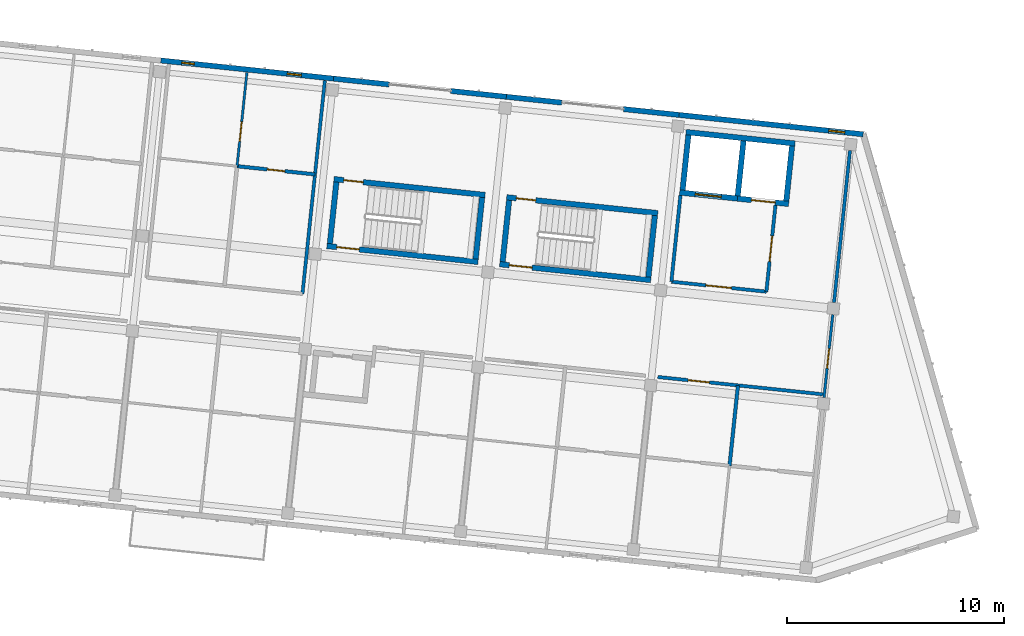
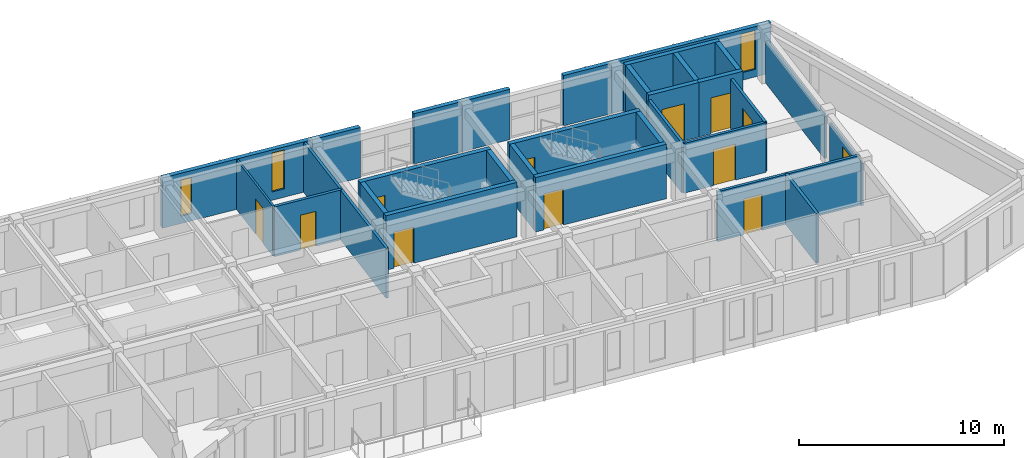
# One storey, part 92 of 127: 30 walls, 12 doors, 3 windows, 15 openings.
"""IFC4 building model written with IfcOpenShell, lengths in metres."""

import ifcopenshell
import ifcopenshell.guid

model = None  # the IFC model being written
_history = None  # IfcOwnerHistory: only IFC2X3 demands one
_inside = {}  # id of a spatial element -> (the spatial element, [elements in it])
_under = {}  # id of a project, library or spatial element -> (it, [spatial elements below it])
_declared = {}  # id of a project -> (the project, [libraries it declares])
_typed = {}  # id of a type object -> (the type object, [elements of that type])
_made_of = {}  # id of a material, layer set ... -> (it, [elements and type objects made of it])


def new_model(schema):
    """Start an empty IFC model of exactly this schema.

    Asked for "IFC4X3", IfcOpenShell would pick the latest addendum, in which some entities
    have other attributes; the version numbers below select the first issue.
    IFC2X3 requires an IfcOwnerHistory on every rooted entity: one is made here for all.
    """
    global model, _history
    if schema == "IFC4X3":
        model = ifcopenshell.file(schema_version=(4, 3, 0, 0))
    else:
        model = ifcopenshell.file(schema=schema)
    _inside.clear()
    _under.clear()
    _declared.clear()
    _typed.clear()
    _made_of.clear()
    _history = None
    if model.schema == "IFC2X3":
        org = make("IfcOrganization", Name="unknown")
        user = make(
            "IfcPersonAndOrganization",
            ThePerson=make("IfcPerson", FamilyName="unknown"),
            TheOrganization=org,
        )
        app = make(
            "IfcApplication",
            ApplicationDeveloper=org,
            Version="unknown",
            ApplicationFullName="unknown",
            ApplicationIdentifier="unknown",
        )
        _history = make(
            "IfcOwnerHistory",
            OwningUser=user,
            OwningApplication=app,
            ChangeAction="ADDED",
            CreationDate=0,
        )
    return model


def make(cls, **values):
    """One entity of the class cls with the attributes given. An attribute that is None is left unset."""
    return model.create_entity(
        cls, **{name: value for name, value in values.items() if value is not None}
    )


def rooted(cls, **values):
    """An entity with a GlobalId (a new one), such as an element, a storey or a relation."""
    return make(cls, GlobalId=ifcopenshell.guid.new(), OwnerHistory=_history, **values)


def si_unit(unit_type, name, prefix=None):
    """IfcSIUnit, for example si_unit("LENGTHUNIT", "METRE", prefix="MILLI")."""
    return make("IfcSIUnit", UnitType=unit_type, Prefix=prefix, Name=name)


def assignment(units):
    """IfcUnitAssignment: the units of a project."""
    return None if units is None else make("IfcUnitAssignment", Units=units)


def point(xyz):
    """IfcCartesianPoint."""
    return None if xyz is None else make("IfcCartesianPoint", Coordinates=xyz)


def direction(xyz):
    """IfcDirection."""
    return None if xyz is None else make("IfcDirection", DirectionRatios=xyz)


def frame(location, z_axis=None, x_axis=None):
    """IfcAxis2Placement3D, a coordinate frame: its origin and axes. An axis left out is left unset."""
    return make(
        "IfcAxis2Placement3D",
        Location=point(location),
        Axis=direction(z_axis),
        RefDirection=direction(x_axis),
    )


def frame_2d(location, x_axis=None):
    """IfcAxis2Placement2D, a coordinate frame in the plane: its origin and x axis."""
    return make(
        "IfcAxis2Placement2D", Location=point(location), RefDirection=direction(x_axis)
    )


def origin():
    """The frame at (0, 0, 0) with its axes left unset."""
    return frame((0.0, 0.0, 0.0))


def place(relative_to, where):
    """IfcLocalPlacement: puts the frame where relative to a parent placement (None: the world)."""
    return make(
        "IfcLocalPlacement", PlacementRelTo=relative_to, RelativePlacement=where
    )


def context(
    kind, dimensions, precision=None, world=None, true_north=None, identifier=None
):
    """IfcGeometricRepresentationContext, for example the 3D "Model" context."""
    return make(
        "IfcGeometricRepresentationContext",
        ContextIdentifier=identifier,
        ContextType=kind,
        CoordinateSpaceDimension=dimensions,
        Precision=precision,
        WorldCoordinateSystem=world,
        TrueNorth=true_north,
    )


def subcontext(parent, identifier, kind, view, scale=None):
    """IfcGeometricRepresentationSubContext, for example "Body" below "Model"."""
    return make(
        "IfcGeometricRepresentationSubContext",
        ContextIdentifier=identifier,
        ContextType=kind,
        ParentContext=parent,
        TargetScale=scale,
        TargetView=view,
    )


def project(units=None, contexts=None):
    """IfcProject with its units and contexts."""
    return rooted(
        "IfcProject",
        Name="project",
        RepresentationContexts=contexts,
        UnitsInContext=assignment(units),
    )


def spatial(cls, under=None, at=None, **own):
    """A site, building, storey or space (cls), placed at a placement, below another one or the project."""
    s = rooted(cls, ObjectPlacement=at, **own)
    if under is not None:
        _under.setdefault(under.id(), (under, []))[1].append(s)
    return s


def profile(cls, at=None, kind="AREA", **sizes):
    """A parametric profile (cls). Its sizes go by their IFC names, for example OverallWidth=200.0."""
    return make(cls, ProfileType=kind, Position=at, **sizes)


def rectangle(**sizes):
    """IfcRectangleProfileDef."""
    return profile("IfcRectangleProfileDef", **sizes)


def extrude(swept, where, along, depth):
    """IfcExtrudedAreaSolid: the profile swept, set in the frame where, extruded along a direction by depth."""
    return make(
        "IfcExtrudedAreaSolid",
        SweptArea=swept,
        Position=where,
        ExtrudedDirection=direction(along),
        Depth=depth,
    )


def shape(context_of_items, identifier, shape_type, items):
    """IfcShapeRepresentation: the items that make up one representation, for example the "Body"."""
    return make(
        "IfcShapeRepresentation",
        ContextOfItems=context_of_items,
        RepresentationIdentifier=identifier,
        RepresentationType=shape_type,
        Items=items,
    )


def material(Name=None, Category=None):
    """IfcMaterial."""
    return make("IfcMaterial", Name=Name, Category=Category)


def layer(
    of_material, thickness, ventilated=None, Name=None, Category=None, Priority=None
):
    """IfcMaterialLayer: one layer of a wall or slab, of a material (None: an air gap)."""
    return make(
        "IfcMaterialLayer",
        Material=of_material,
        LayerThickness=thickness,
        IsVentilated=ventilated,
        Name=Name,
        Category=Category,
        Priority=Priority,
    )


def layer_set(layers, Name=None):
    """IfcMaterialLayerSet."""
    return make("IfcMaterialLayerSet", MaterialLayers=layers, LayerSetName=Name)


def made_of(thing, what):
    """Note that an element or type object is made of a material, layer set ...; save() writes the relation."""
    if what is not None:
        _made_of.setdefault(what.id(), (what, []))[1].append(thing)
    return thing


def type_object(cls, material=None, **own):
    """A type object (cls), such as IfcWallType, which elements share."""
    return made_of(rooted(cls, **own), material)


def element(
    cls,
    number,
    at=None,
    inside=None,
    cuts=None,
    type_object=None,
    material=None,
    context=None,
    identifier="Body",
    shape_type=None,
    held_by="IfcProductDefinitionShape",
    body=None,
    shapes=None,
    **own,
):
    """One element of the class cls, such as IfcWall. Its Tag is "e" and its number.

    at: its placement. inside: the storey or other place that contains it. cuts: it is an
    opening in that element (IfcRelVoidsElement). A single representation is given by context,
    identifier, shape_type and body (its items); several are given by shapes. held_by: the class
    of the entity that holds the representations. save() writes the other relations.
    """
    e = rooted(cls, Tag="e%d" % number, ObjectPlacement=at, **own)
    if body is not None:
        shapes = [shape(context, identifier, shape_type, body)]
    if shapes is not None:
        e.Representation = make(held_by, Representations=shapes)
    if inside is not None:
        _inside.setdefault(inside.id(), (inside, []))[1].append(e)
    if cuts is not None:
        rooted(
            "IfcRelVoidsElement", RelatingBuildingElement=cuts, RelatedOpeningElement=e
        )
    if type_object is not None:
        _typed.setdefault(type_object.id(), (type_object, []))[1].append(e)
    return made_of(e, material)


def fill(opening, filler):
    """IfcRelFillsElement: the door or window that sits in an opening."""
    return rooted(
        "IfcRelFillsElement",
        RelatingOpeningElement=opening,
        RelatedBuildingElement=filler,
    )


def aggregate(whole, parts):
    """IfcRelAggregates: a whole, such as a stair, and the parts it consists of."""
    return rooted("IfcRelAggregates", RelatingObject=whole, RelatedObjects=parts)


def save(model, path):
    """Write the relations noted so far, then the file.

    IfcRelAggregates (storeys below a building ...), IfcRelContainedInSpatialStructure (elements
    in a storey), IfcRelDefinesByType, IfcRelAssociatesMaterial and IfcRelDeclares: one each for
    every whole, place, type object, material and project.
    """
    for whole, parts in _under.values():
        aggregate(whole, parts)
    for where, things in _inside.values():
        rooted(
            "IfcRelContainedInSpatialStructure",
            RelatedElements=things,
            RelatingStructure=where,
        )
    for kind, things in _typed.values():
        rooted("IfcRelDefinesByType", RelatedObjects=things, RelatingType=kind)
    for what, things in _made_of.values():
        rooted("IfcRelAssociatesMaterial", RelatedObjects=things, RelatingMaterial=what)
    for by, libraries in _declared.values():
        rooted("IfcRelDeclares", RelatingContext=by, RelatedDefinitions=libraries)
    model.write(path)


model = new_model("IFC4")

# Units and contexts
model_context = context("Model", 3, precision=1e-05, world=origin(), true_north=direction((0.0, 1.0)))
body_context = subcontext(model_context, "Body", "Model", "MODEL_VIEW")
ifc_project = project(units=[si_unit("LENGTHUNIT", "METRE"), si_unit("AREAUNIT", "SQUARE_METRE"), si_unit("VOLUMEUNIT", "CUBIC_METRE"), si_unit("PLANEANGLEUNIT", "RADIAN"), si_unit("MASSUNIT", "GRAM", prefix="KILO")], contexts=[model_context])

# Site, building, storey
site_placement = place(None, origin())
site = spatial("IfcSite", under=ifc_project, at=site_placement, CompositionType="ELEMENT")
building_placement = place(site_placement, origin())
building = spatial("IfcBuilding", under=site, at=building_placement, Name="Kestramere Prow Commons", CompositionType="ELEMENT")
storey_placement = place(building_placement, frame((0.0, 0.0, 8.39990234375)))
storey = spatial("IfcBuildingStorey", under=building, at=storey_placement, Name="L02", CompositionType="ELEMENT", Elevation=8.39990234375)

# Wall, openings, windows
ifc_material_1 = material(Name="Fluoropolymer Standing-Seam Zinc-Aluminium Cladding", Category="aluminium")
ifc_layer_1 = layer(ifc_material_1, 0.239990234375)
ifc_layer_set_1 = layer_set([ifc_layer_1], Name="Fluoropolymer Standing-Seam Zinc-Aluminium Cladding")
wall_type_1 = type_object("IfcWallType", Name="EW-SEAM-240", PredefinedType="SOLIDWALL", material=ifc_layer_set_1)
wall_1_placement = place(storey_placement, frame((128.015869140625, 113.142333984375, 0.0), z_axis=(0.0, 0.0, 1.0), x_axis=(0.994522662826, -0.104521161134, 0.0)))
wall_1 = element("IfcWall", 1, at=wall_1_placement, inside=storey, type_object=wall_type_1, Name="Block B L02 North Standing-Seam Wall 3", PredefinedType="SOLIDWALL", context=body_context, shape_type="SweptSolid", body=[
    extrude(rectangle(XDim=8.0, YDim=0.239990234375, at=frame_2d((4.0, 0.0))), origin(), (0.0, 0.0, 1.0), 3.0),
])
opening_1_placement = place(wall_1_placement, frame((0.971923828125, 0.0, 0.43994140625)))
opening_1 = element("IfcOpeningElement", 2, at=opening_1_placement, cuts=wall_1, Name="Opening WN-01", PredefinedType="OPENING", context=body_context, shape_type="SweptSolid", body=[
    extrude(rectangle(XDim=0.580078125, YDim=2.159912109375, at=frame_2d((0.2900390625, 1.080078125))), frame((0.0, 0.135009765625, 0.0), z_axis=(0.0, -1.0, 0.0), x_axis=(1.0, 0.0, 0.0)), (0.0, 0.0, 1.0), 0.27001953125),
])
opening_2_placement = place(wall_1_placement, frame((5.85009765625, 0.0, 0.5)))
opening_2 = element("IfcOpeningElement", 3, at=opening_2_placement, cuts=wall_1, Name="Opening WN-05", PredefinedType="OPENING", context=body_context, shape_type="SweptSolid", body=[
    extrude(rectangle(XDim=0.659912109375, YDim=2.320068359375, at=frame_2d((0.330078125, 1.16015625))), frame((0.0, 0.135009765625, 0.0), z_axis=(0.0, -1.0, 0.0), x_axis=(1.0, 0.0, 0.0)), (0.0, 0.0, 1.0), 0.27001953125),
])
ifc_material_2 = material(Name="Low-E Laminated Double Glazing", Category="glass")
window_type_1 = type_object("IfcWindowType", Name="WN-NAR-580A", PartitioningType="SINGLE_PANEL", PredefinedType="WINDOW", material=ifc_material_2)
window_1_placement = place(opening_1_placement, origin())
window_1 = element("IfcWindow", 4, at=window_1_placement, inside=storey, type_object=window_type_1, Name="WN-B-L02-N-2-0", OverallHeight=2.159912109375, OverallWidth=0.580078125, PartitioningType="SINGLE_PANEL", PredefinedType="WINDOW", context=body_context, shape_type="SweptSolid", body=[
    extrude(rectangle(XDim=0.580078125, YDim=2.159912109375, at=frame_2d((0.2900390625, 1.080078125))), frame((0.0, 0.030029296875, 0.0), z_axis=(0.0, -1.0, 0.0), x_axis=(1.0, 0.0, 0.0)), (0.0, 0.0, 1.0), 0.06005859375),
])
fill(opening_1, window_1)
window_type_2 = type_object("IfcWindowType", Name="WN-NAR-660A", PartitioningType="SINGLE_PANEL", PredefinedType="WINDOW", material=ifc_material_2)
window_2_placement = place(opening_2_placement, origin())
window_2 = element("IfcWindow", 5, at=window_2_placement, inside=storey, type_object=window_type_2, Name="WN-B-L02-N-2-1", OverallHeight=2.320068359375, OverallWidth=0.659912109375, PartitioningType="SINGLE_PANEL", PredefinedType="WINDOW", context=body_context, shape_type="SweptSolid", body=[
    extrude(rectangle(XDim=0.659912109375, YDim=2.320068359375, at=frame_2d((0.330078125, 1.16015625))), frame((0.0, 0.030029296875, 0.0), z_axis=(0.0, -1.0, 0.0), x_axis=(1.0, 0.0, 0.0)), (0.0, 0.0, 1.0), 0.06005859375),
])
fill(opening_2, window_2)

# Walls
for number, where, z_axis, x_axis, name in (
    (6, (135.97216796875, 112.30615234375, 0.0), (0.0, 0.0, 1.0), (0.99451635776, -0.104581136677, 0.0), "Block B L02 North Standing-Seam Pier 4L"),
    (7, (141.367431640625, 111.739013671875, 0.0), (0.0, 0.0, 1.0), (0.99451635776, -0.104581136677, 0.0), "Block B L02 North Standing-Seam Pier 4R"),
):
    element("IfcWall", number, at=place(storey_placement, frame(where, z_axis=z_axis, x_axis=x_axis)), inside=storey, type_object=wall_type_1, Name=name, PredefinedType="SOLIDWALL", context=body_context, shape_type="SweptSolid", body=[
        extrude(rectangle(XDim=2.574951171875, YDim=0.239990234375, at=frame_2d((1.28759765625, 0.0))), origin(), (0.0, 0.0, 1.0), 3.0),
    ])
wall_2_placement = place(storey_placement, frame((143.92822265625, 111.4697265625, 0.0), z_axis=(0.0, 0.0, 1.0), x_axis=(0.994527249958, -0.104477505191, 0.0)))
element("IfcWall", 8, at=wall_2_placement, inside=storey, type_object=wall_type_1, Name="Block B L02 North Standing-Seam Pier 5L", PredefinedType="SOLIDWALL", context=body_context, shape_type="SweptSolid", body=[
    extrude(rectangle(XDim=2.5751953125, YDim=0.239990234375, at=frame_2d((1.28759765625, 0.0))), origin(), (0.0, 0.0, 1.0), 3.0),
])
wall_3_placement = place(storey_placement, frame((149.32373046875, 110.90283203125, 0.0), z_axis=(0.0, 0.0, 1.0), x_axis=(0.99451635776, -0.104581136677, 0.0)))
element("IfcWall", 9, at=wall_3_placement, inside=storey, type_object=wall_type_1, Name="Block B L02 North Standing-Seam Pier 5R", PredefinedType="SOLIDWALL", context=body_context, shape_type="SweptSolid", body=[
    extrude(rectangle(XDim=2.574951171875, YDim=0.239990234375, at=frame_2d((1.28759765625, 0.0))), origin(), (0.0, 0.0, 1.0), 3.0),
])

# Wall, opening, window
wall_4_placement = place(storey_placement, frame((151.884521484375, 110.633544921875, 0.0), z_axis=(0.0, 0.0, 1.0), x_axis=(0.994521760736, -0.104529744196, 0.0)))
wall_4 = element("IfcWall", 10, at=wall_4_placement, inside=storey, type_object=wall_type_1, Name="Block B L02 North Standing-Seam Wall 6", PredefinedType="SOLIDWALL", context=body_context, shape_type="SweptSolid", body=[
    extrude(rectangle(XDim=8.52490234375, YDim=0.239990234375, at=frame_2d((4.262451171875, 0.0))), origin(), (0.0, 0.0, 1.0), 3.0),
])
opening_3_placement = place(wall_4_placement, frame((6.925048828125, 0.0, 0.449951171875)))
opening_3 = element("IfcOpeningElement", 11, at=opening_3_placement, cuts=wall_4, Name="Opening WN-19", PredefinedType="OPENING", context=body_context, shape_type="SweptSolid", body=[
    extrude(rectangle(XDim=0.75, YDim=2.320068359375, at=frame_2d((0.375, 1.16015625))), frame((0.0, 0.135009765625, 0.0), z_axis=(0.0, -1.0, 0.0), x_axis=(1.0, 0.0, 0.0)), (0.0, 0.0, 1.0), 0.27001953125),
])
window_type_3 = type_object("IfcWindowType", Name="WN-CLER-1800", PartitioningType="SINGLE_PANEL", PredefinedType="WINDOW", material=ifc_material_2)
window_3_placement = place(opening_3_placement, origin())
window_3 = element("IfcWindow", 12, at=window_3_placement, inside=storey, type_object=window_type_3, Name="Block B L02 Core Lobby Slot Window", OverallHeight=2.320068359375, OverallWidth=0.75, PartitioningType="SINGLE_PANEL", PredefinedType="WINDOW", context=body_context, shape_type="SweptSolid", body=[
    extrude(rectangle(XDim=0.75, YDim=2.320068359375, at=frame_2d((0.375, 1.16015625))), frame((0.0, 0.030029296875, 0.0), z_axis=(0.0, -1.0, 0.0), x_axis=(1.0, 0.0, 0.0)), (0.0, 0.0, 1.0), 0.06005859375),
])
fill(opening_3, window_3)

# Wall
ifc_material_3 = material(Name="Concrete C40/50", Category="concrete")
ifc_layer_2 = layer(ifc_material_3, 0.25)
ifc_layer_set_2 = layer_set([ifc_layer_2], Name="Concrete C40/50")
wall_type_2 = type_object("IfcWallType", Name="W-CORE-250", PredefinedType="SHEAR", material=ifc_layer_set_2)
wall_5_placement = place(storey_placement, frame((152.203857421875, 109.845947265625, 0.0), z_axis=(0.0, 0.0, 1.0), x_axis=(0.994522922189, -0.104518693261, 0.0)))
element("IfcWall", 13, at=wall_5_placement, inside=storey, type_object=wall_type_2, Name="Block B L02 Lift Core Back Wall", PredefinedType="SHEAR", context=body_context, shape_type="SweptSolid", body=[
    extrude(rectangle(XDim=5.050048828125, YDim=0.25, at=frame_2d((2.52490234375, 0.0))), origin(), (0.0, 0.0, 1.0), 3.25),
])

# Wall, opening, door
wall_6_placement = place(storey_placement, frame((151.9111328125, 107.061279296875, 0.0), z_axis=(0.0, 0.0, 1.0), x_axis=(0.994524939068, -0.104499500343, 0.0)))
wall_6 = element("IfcWall", 14, at=wall_6_placement, inside=storey, type_object=wall_type_2, Name="Block B L02 Fire Lift Shaft Front Wall", PredefinedType="SHEAR", context=body_context, shape_type="SweptSolid", body=[
    extrude(rectangle(XDim=2.675048828125, YDim=0.25, at=frame_2d((1.33740234375, 0.0))), origin(), (0.0, 0.0, 1.0), 3.25),
])
opening_4_placement = place(wall_6_placement, frame((0.719970703125, 0.0, 0.0)))
opening_4 = element("IfcOpeningElement", 15, at=opening_4_placement, cuts=wall_6, Name="Opening LD-02", PredefinedType="OPENING", context=body_context, shape_type="SweptSolid", body=[
    extrude(rectangle(XDim=1.199951171875, YDim=2.199951171875, at=frame_2d((0.60009765625, 1.10009765625))), frame((0.0, 0.139892578125, 0.0), z_axis=(0.0, -1.0, 0.0), x_axis=(1.0, 0.0, 0.0)), (0.0, 0.0, 1.0), 0.280029296875),
])
ifc_material_4 = material(Name="Brushed Stainless Steel 316", Category="steel")
door_type_1 = type_object("IfcDoorType", Name="LD-02", OperationType="DOUBLE_DOOR_SLIDING", PredefinedType="DOOR", material=ifc_material_4)
door_1_placement = place(opening_4_placement, origin())
door_1 = element("IfcDoor", 16, at=door_1_placement, inside=storey, type_object=door_type_1, Name="FL-B1 L02 Lift Landing Door", OperationType="DOUBLE_DOOR_SLIDING", OverallHeight=2.199951171875, OverallWidth=1.199951171875, PredefinedType="DOOR", context=body_context, shape_type="SweptSolid", body=[
    extrude(rectangle(XDim=1.199951171875, YDim=2.199951171875, at=frame_2d((0.60009765625, 1.10009765625))), frame((0.0, 0.02490234375, 0.0), z_axis=(0.0, -1.0, 0.0), x_axis=(1.0, 0.0, 0.0)), (0.0, 0.0, 1.0), 0.050048828125),
])
fill(opening_4, door_1)

wall_7_placement = place(storey_placement, frame((154.571533203125, 106.78173828125, 0.0), z_axis=(0.0, 0.0, 1.0), x_axis=(0.994520650134, -0.1045403102, 0.0)))
wall_7 = element("IfcWall", 17, at=wall_7_placement, inside=storey, type_object=wall_type_2, Name="Block B L02 Passenger Lift Shaft Front Wall", PredefinedType="SHEAR", context=body_context, shape_type="SweptSolid", body=[
    extrude(rectangle(XDim=2.375, YDim=0.25, at=frame_2d((1.1875, 0.0))), origin(), (0.0, 0.0, 1.0), 3.25),
])
opening_5_placement = place(wall_7_placement, frame((0.64990234375, 0.0, 0.0)))
opening_5 = element("IfcOpeningElement", 18, at=opening_5_placement, cuts=wall_7, Name="Opening LD-01", PredefinedType="OPENING", context=body_context, shape_type="SweptSolid", body=[
    extrude(rectangle(XDim=1.10009765625, YDim=2.14990234375, at=frame_2d((0.550048828125, 1.074951171875))), frame((0.0, 0.139892578125, 0.0), z_axis=(0.0, -1.0, 0.0), x_axis=(1.0, 0.0, 0.0)), (0.0, 0.0, 1.0), 0.280029296875),
])
ifc_material_5 = material(Name="Brushed Stainless Steel 304", Category="steel")
door_type_2 = type_object("IfcDoorType", Name="LD-01", OperationType="DOUBLE_DOOR_SLIDING", PredefinedType="DOOR", material=ifc_material_5)
door_2_placement = place(opening_5_placement, origin())
door_2 = element("IfcDoor", 19, at=door_2_placement, inside=storey, type_object=door_type_2, Name="PL-B2 L02 Lift Landing Door", OperationType="DOUBLE_DOOR_SLIDING", OverallHeight=2.14990234375, OverallWidth=1.10009765625, PredefinedType="DOOR", context=body_context, shape_type="SweptSolid", body=[
    extrude(rectangle(XDim=1.10009765625, YDim=2.14990234375, at=frame_2d((0.550048828125, 1.074951171875))), frame((0.0, 0.02490234375, 0.0), z_axis=(0.0, -1.0, 0.0), x_axis=(1.0, 0.0, 0.0)), (0.0, 0.0, 1.0), 0.050048828125),
])
fill(opening_5, door_2)

# Walls
for number, where, z_axis, x_axis, name in (
    (20, (152.048583984375, 107.172607421875, 0.0), (0.0, 0.0, 1.0), (0.104555197931, 0.994519085079, 0.0), "Block B L02 Lift Core Side Wall L"),
    (21, (154.584716796875, 106.906005859375, 0.0), (0.0, 0.0, 1.0), (0.104555197931, 0.994519085079, 0.0), "Block B L02 Lift Core Side Wall M"),
):
    element("IfcWall", number, at=place(storey_placement, frame(where, z_axis=z_axis, x_axis=x_axis)), inside=storey, type_object=wall_type_2, Name=name, PredefinedType="SHEAR", context=body_context, shape_type="SweptSolid", body=[
        extrude(rectangle(XDim=2.5498046875, YDim=0.25, at=frame_2d((1.27490234375, 0.0))), origin(), (0.0, 0.0, 1.0), 3.25),
    ])
wall_8_placement = place(storey_placement, frame((156.822265625, 106.670654296875, 0.0), z_axis=(0.0, 0.0, 1.0), x_axis=(0.104545242946, 0.99452013161, 0.0)))
element("IfcWall", 22, at=wall_8_placement, inside=storey, type_object=wall_type_2, Name="Block B L02 Lift Core Side Wall R", PredefinedType="SHEAR", context=body_context, shape_type="SweptSolid", body=[
    extrude(rectangle(XDim=2.550048828125, YDim=0.25, at=frame_2d((1.27490234375, 0.0))), origin(), (0.0, 0.0, 1.0), 3.25),
])

# Wall, opening, door
wall_9_placement = place(storey_placement, frame((135.988525390625, 107.678955078125, 0.0), z_axis=(0.0, 0.0, 1.0), x_axis=(0.994522066748, -0.104526832686, 0.0)))
wall_9 = element("IfcWall", 23, at=wall_9_placement, inside=storey, type_object=wall_type_2, Name="ST-B1 L02 North Shaft Wall", PredefinedType="SHEAR", context=body_context, shape_type="SweptSolid", body=[
    extrude(rectangle(XDim=7.0, YDim=0.25, at=frame_2d((3.5, 0.0))), origin(), (0.0, 0.0, 1.0), 3.25),
])
opening_6_placement = place(wall_9_placement, frame((0.449951171875, 0.0, 0.0)))
opening_6 = element("IfcOpeningElement", 24, at=opening_6_placement, cuts=wall_9, Name="Opening ID-08", PredefinedType="OPENING", context=body_context, shape_type="SweptSolid", body=[
    extrude(rectangle(XDim=0.89990234375, YDim=2.10009765625, at=frame_2d((0.449951171875, 1.050048828125))), frame((0.0, 0.139892578125, 0.0), z_axis=(0.0, -1.0, 0.0), x_axis=(1.0, 0.0, 0.0)), (0.0, 0.0, 1.0), 0.280029296875),
])
ifc_material_6 = material(Name="Engineered Timber Flush Door", Category="wood")
door_type_3 = type_object("IfcDoorType", Name="D-RM-01", OperationType="NOTDEFINED", PredefinedType="DOOR", material=ifc_material_6)
door_3_placement = place(opening_6_placement, origin())
door_3 = element("IfcDoor", 25, at=door_3_placement, inside=storey, type_object=door_type_3, Name="ST-B1 L02 North Room Door", OperationType="SINGLE_SWING_RIGHT", OverallHeight=2.10009765625, OverallWidth=0.89990234375, PredefinedType="DOOR", context=body_context, shape_type="SweptSolid", body=[
    extrude(rectangle(XDim=0.89990234375, YDim=2.10009765625, at=frame_2d((0.449951171875, 1.050048828125))), frame((0.0, 0.02490234375, 0.0), z_axis=(0.0, -1.0, 0.0), x_axis=(1.0, 0.0, 0.0)), (0.0, 0.0, 1.0), 0.050048828125),
])
fill(opening_6, door_3)

wall_10_placement = place(storey_placement, frame((135.66455078125, 104.595947265625, 0.0), z_axis=(0.0, 0.0, 1.0), x_axis=(0.994522066748, -0.104526832686, 0.0)))
wall_10 = element("IfcWall", 26, at=wall_10_placement, inside=storey, type_object=wall_type_2, Name="ST-B1 L02 Corridor Shaft Wall", PredefinedType="SHEAR", context=body_context, shape_type="SweptSolid", body=[
    extrude(rectangle(XDim=7.0, YDim=0.25, at=frame_2d((3.5, 0.0))), origin(), (0.0, 0.0, 1.0), 3.25),
])
opening_7_placement = place(wall_10_placement, frame((0.449951171875, 0.0, 0.0)))
opening_7 = element("IfcOpeningElement", 27, at=opening_7_placement, cuts=wall_10, Name="Opening ID-01", PredefinedType="OPENING", context=body_context, shape_type="SweptSolid", body=[
    extrude(rectangle(XDim=1.050048828125, YDim=2.14990234375, at=frame_2d((0.52490234375, 1.074951171875))), frame((0.0, 0.139892578125, 0.0), z_axis=(0.0, -1.0, 0.0), x_axis=(1.0, 0.0, 0.0)), (0.0, 0.0, 1.0), 0.280029296875),
])
ifc_material_7 = material(Name="Fire-Rated Timber and Steel Frame", Category="steel")
door_type_4 = type_object("IfcDoorType", Name="FD-ST-01", OperationType="NOTDEFINED", PredefinedType="DOOR", material=ifc_material_7)
door_4_placement = place(opening_7_placement, origin())
door_4 = element("IfcDoor", 28, at=door_4_placement, inside=storey, type_object=door_type_4, Name="ST-B1 L02 Protected Stair Door", OperationType="SINGLE_SWING_LEFT", OverallHeight=2.14990234375, OverallWidth=1.050048828125, PredefinedType="DOOR", context=body_context, shape_type="SweptSolid", body=[
    extrude(rectangle(XDim=1.050048828125, YDim=2.14990234375, at=frame_2d((0.52490234375, 1.074951171875))), frame((0.0, 0.02490234375, 0.0), z_axis=(0.0, -1.0, 0.0), x_axis=(1.0, 0.0, 0.0)), (0.0, 0.0, 1.0), 0.050048828125),
])
fill(opening_7, door_4)

# Walls
for number, where, z_axis, x_axis, name in (
    (29, (135.802001953125, 104.707275390625, 0.0), (0.0, 0.0, 1.0), (0.104515324063, 0.994523276267, 0.0), "ST-B1 L02 Near Shaft Wall"),
    (30, (142.514892578125, 104.001708984375, 0.0), (0.0, 0.0, 1.0), (0.104515324063, 0.994523276267, 0.0), "ST-B1 L02 Far Shaft Wall"),
):
    element("IfcWall", number, at=place(storey_placement, frame(where, z_axis=z_axis, x_axis=x_axis)), inside=storey, type_object=wall_type_2, Name=name, PredefinedType="SHEAR", context=body_context, shape_type="SweptSolid", body=[
        extrude(rectangle(XDim=2.849853515625, YDim=0.25, at=frame_2d((1.4248046875, 0.0))), origin(), (0.0, 0.0, 1.0), 3.25),
    ])

# Wall, opening, door
wall_11_placement = place(storey_placement, frame((143.94482421875, 106.8427734375, 0.0), z_axis=(0.0, 0.0, 1.0), x_axis=(0.994522066748, -0.104526832686, 0.0)))
wall_11 = element("IfcWall", 31, at=wall_11_placement, inside=storey, type_object=wall_type_2, Name="ST-B2 L02 North Shaft Wall", PredefinedType="SHEAR", context=body_context, shape_type="SweptSolid", body=[
    extrude(rectangle(XDim=7.0, YDim=0.25, at=frame_2d((3.5, 0.0))), origin(), (0.0, 0.0, 1.0), 3.25),
])
opening_8_placement = place(wall_11_placement, frame((0.449951171875, 0.0, 0.0)))
opening_8 = element("IfcOpeningElement", 32, at=opening_8_placement, cuts=wall_11, Name="Opening ID-08", PredefinedType="OPENING", context=body_context, shape_type="SweptSolid", body=[
    extrude(rectangle(XDim=0.89990234375, YDim=2.10009765625, at=frame_2d((0.449951171875, 1.050048828125))), frame((0.0, 0.139892578125, 0.0), z_axis=(0.0, -1.0, 0.0), x_axis=(1.0, 0.0, 0.0)), (0.0, 0.0, 1.0), 0.280029296875),
])
door_5_placement = place(opening_8_placement, origin())
door_5 = element("IfcDoor", 33, at=door_5_placement, inside=storey, type_object=door_type_3, Name="ST-B2 L02 North Room Door", OperationType="SINGLE_SWING_RIGHT", OverallHeight=2.10009765625, OverallWidth=0.89990234375, PredefinedType="DOOR", context=body_context, shape_type="SweptSolid", body=[
    extrude(rectangle(XDim=0.89990234375, YDim=2.10009765625, at=frame_2d((0.449951171875, 1.050048828125))), frame((0.0, 0.02490234375, 0.0), z_axis=(0.0, -1.0, 0.0), x_axis=(1.0, 0.0, 0.0)), (0.0, 0.0, 1.0), 0.050048828125),
])
fill(opening_8, door_5)

wall_12_placement = place(storey_placement, frame((143.62060546875, 103.759765625, 0.0), z_axis=(0.0, 0.0, 1.0), x_axis=(0.994522066748, -0.104526832686, 0.0)))
wall_12 = element("IfcWall", 34, at=wall_12_placement, inside=storey, type_object=wall_type_2, Name="ST-B2 L02 Corridor Shaft Wall", PredefinedType="SHEAR", context=body_context, shape_type="SweptSolid", body=[
    extrude(rectangle(XDim=7.0, YDim=0.25, at=frame_2d((3.5, 0.0))), origin(), (0.0, 0.0, 1.0), 3.25),
])
opening_9_placement = place(wall_12_placement, frame((0.449951171875, 0.0, 0.0)))
opening_9 = element("IfcOpeningElement", 35, at=opening_9_placement, cuts=wall_12, Name="Opening ID-01", PredefinedType="OPENING", context=body_context, shape_type="SweptSolid", body=[
    extrude(rectangle(XDim=1.050048828125, YDim=2.14990234375, at=frame_2d((0.52490234375, 1.074951171875))), frame((0.0, 0.139892578125, 0.0), z_axis=(0.0, -1.0, 0.0), x_axis=(1.0, 0.0, 0.0)), (0.0, 0.0, 1.0), 0.280029296875),
])
door_6_placement = place(opening_9_placement, origin())
door_6 = element("IfcDoor", 36, at=door_6_placement, inside=storey, type_object=door_type_4, Name="ST-B2 L02 Protected Stair Door", OperationType="SINGLE_SWING_LEFT", OverallHeight=2.14990234375, OverallWidth=1.050048828125, PredefinedType="DOOR", context=body_context, shape_type="SweptSolid", body=[
    extrude(rectangle(XDim=1.050048828125, YDim=2.14990234375, at=frame_2d((0.52490234375, 1.074951171875))), frame((0.0, 0.02490234375, 0.0), z_axis=(0.0, -1.0, 0.0), x_axis=(1.0, 0.0, 0.0)), (0.0, 0.0, 1.0), 0.050048828125),
])
fill(opening_9, door_6)

# Walls
for number, where, z_axis, x_axis, name in (
    (37, (143.758056640625, 103.87109375, 0.0), (0.0, 0.0, 1.0), (0.104515324063, 0.994523276267, 0.0), "ST-B2 L02 Near Shaft Wall"),
    (38, (150.47119140625, 103.16552734375, 0.0), (0.0, 0.0, 1.0), (0.104515324063, 0.994523276267, 0.0), "ST-B2 L02 Far Shaft Wall"),
):
    element("IfcWall", number, at=place(storey_placement, frame(where, z_axis=z_axis, x_axis=x_axis)), inside=storey, type_object=wall_type_2, Name=name, PredefinedType="SHEAR", context=body_context, shape_type="SweptSolid", body=[
        extrude(rectangle(XDim=2.849853515625, YDim=0.25, at=frame_2d((1.4248046875, 0.0))), origin(), (0.0, 0.0, 1.0), 3.25),
    ])

# Wall, opening, door
ifc_material_8 = material(Name="Fire-Rated Calcium Silicate Wall")
ifc_layer_3 = layer(ifc_material_8, 0.155029296875)
ifc_layer_set_3 = layer_set([ifc_layer_3], Name="Fire-Rated Calcium Silicate Wall")
wall_type_3 = type_object("IfcWallType", Name="W-FIRE-150", PredefinedType="PARTITIONING", material=ifc_layer_set_3)
wall_13_placement = place(storey_placement, frame((151.52978515625, 102.95361328125, 0.0), z_axis=(0.0, 0.0, 1.0), x_axis=(0.994521251134, -0.104534592565, 0.0)))
wall_13 = element("IfcWall", 39, at=wall_13_placement, inside=storey, type_object=wall_type_3, Name="Interior Partition PW-B-L02-FFL-S", PredefinedType="PARTITIONING", context=body_context, shape_type="SweptSolid", body=[
    extrude(rectangle(XDim=4.400146484375, YDim=0.155029296875, at=frame_2d((2.2001953125, 0.0))), origin(), (0.0, 0.0, 1.0), 2.97021484375),
])
opening_10_placement = place(wall_13_placement, frame((1.60009765625, 0.0, 0.0)))
opening_10 = element("IfcOpeningElement", 40, at=opening_10_placement, cuts=wall_13, Name="Opening ID-03", PredefinedType="OPENING", context=body_context, shape_type="SweptSolid", body=[
    extrude(rectangle(XDim=1.179931640625, YDim=2.14990234375, at=frame_2d((0.58984375, 1.074951171875))), frame((0.0, 0.092529296875, 0.0), z_axis=(0.0, -1.0, 0.0), x_axis=(1.0, 0.0, 0.0)), (0.0, 0.0, 1.0), 0.18505859375),
])
ifc_material_9 = material(Name="Fire-Rated Glazed Smoke-Stop Door")
door_type_5 = type_object("IfcDoorType", Name="FD-LB-01", OperationType="NOTDEFINED", PredefinedType="DOOR", material=ifc_material_9)
door_7_placement = place(opening_10_placement, origin())
door_7 = element("IfcDoor", 41, at=door_7_placement, inside=storey, type_object=door_type_5, Name="Interior Door DR-B-L02-FFL", OperationType="SINGLE_SWING_LEFT", OverallHeight=2.14990234375, OverallWidth=1.179931640625, PredefinedType="DOOR", context=body_context, shape_type="SweptSolid", body=[
    extrude(rectangle(XDim=1.179931640625, YDim=2.14990234375, at=frame_2d((0.58984375, 1.074951171875))), frame((0.0, 0.02490234375, 0.0), z_axis=(0.0, -1.0, 0.0), x_axis=(1.0, 0.0, 0.0)), (0.0, 0.0, 1.0), 0.050048828125),
])
fill(opening_10, door_7)

# Wall
wall_14_placement = place(storey_placement, frame((151.52978515625, 102.95361328125, 0.0), z_axis=(0.0, 0.0, 1.0), x_axis=(0.104554517933, 0.994519156568, 0.0)))
element("IfcWall", 42, at=wall_14_placement, inside=storey, type_object=wall_type_3, Name="Interior Partition PW-B-L02-FFL-W", PredefinedType="PARTITIONING", context=body_context, shape_type="SweptSolid", body=[
    extrude(rectangle(XDim=4.0, YDim=0.155029296875, at=frame_2d((2.0, 0.0))), origin(), (0.0, 0.0, 1.0), 2.97021484375),
])

# Wall, opening, door
wall_15_placement = place(storey_placement, frame((155.90576171875, 102.49365234375, 0.0), z_axis=(0.0, 0.0, 1.0), x_axis=(0.104494148666, 0.99452550138, 0.0)))
wall_15 = element("IfcWall", 43, at=wall_15_placement, inside=storey, type_object=wall_type_3, Name="Interior Partition PW-B-L02-FFL-E", PredefinedType="PARTITIONING", context=body_context, shape_type="SweptSolid", body=[
    extrude(rectangle(XDim=4.0, YDim=0.155029296875, at=frame_2d((2.0, 0.0))), origin(), (0.0, 0.0, 1.0), 2.97021484375),
])
opening_11_placement = place(wall_15_placement, frame((1.39990234375, 0.0, 0.0)))
opening_11 = element("IfcOpeningElement", 44, at=opening_11_placement, cuts=wall_15, Name="Opening ID-03", PredefinedType="OPENING", context=body_context, shape_type="SweptSolid", body=[
    extrude(rectangle(XDim=1.179931640625, YDim=2.14990234375, at=frame_2d((0.58984375, 1.074951171875))), frame((0.0, 0.092529296875, 0.0), z_axis=(0.0, -1.0, 0.0), x_axis=(1.0, 0.0, 0.0)), (0.0, 0.0, 1.0), 0.18505859375),
])
door_8_placement = place(opening_11_placement, origin())
door_8 = element("IfcDoor", 45, at=door_8_placement, inside=storey, type_object=door_type_5, Name="Interior Door DR-B-L02-FFL-PL", OperationType="SINGLE_SWING_LEFT", OverallHeight=2.14990234375, OverallWidth=1.179931640625, PredefinedType="DOOR", context=body_context, shape_type="SweptSolid", body=[
    extrude(rectangle(XDim=1.179931640625, YDim=2.14990234375, at=frame_2d((0.58984375, 1.074951171875))), frame((0.0, 0.02490234375, 0.0), z_axis=(0.0, -1.0, 0.0), x_axis=(1.0, 0.0, 0.0)), (0.0, 0.0, 1.0), 0.050048828125),
])
fill(opening_11, door_8)

wall_16_placement = place(storey_placement, frame((150.902587890625, 98.565185546875, 0.0), z_axis=(0.0, 0.0, 1.0), x_axis=(0.994522762445, -0.104520213258, 0.0)))
wall_16 = element("IfcWall", 46, at=wall_16_placement, inside=storey, type_object=wall_type_3, Name="Interior Partition PW-B-L02-CS-5", PredefinedType="PARTITIONING", context=body_context, shape_type="SweptSolid", body=[
    extrude(rectangle(XDim=7.645263671875, YDim=0.155029296875, at=frame_2d((3.82275390625, 0.0))), origin(), (0.0, 0.0, 1.0), 2.97021484375),
])
opening_12_placement = place(wall_16_placement, frame((1.405029296875, 0.0, 0.0)))
opening_12 = element("IfcOpeningElement", 47, at=opening_12_placement, cuts=wall_16, Name="Opening ID-04", PredefinedType="OPENING", context=body_context, shape_type="SweptSolid", body=[
    extrude(rectangle(XDim=0.97998046875, YDim=2.14990234375, at=frame_2d((0.489990234375, 1.074951171875))), frame((0.0, 0.092529296875, 0.0), z_axis=(0.0, -1.0, 0.0), x_axis=(1.0, 0.0, 0.0)), (0.0, 0.0, 1.0), 0.18505859375),
])
ifc_material_10 = material(Name="Hardwood Fire-Rated Flat Entrance Door", Category="wood")
door_type_6 = type_object("IfcDoorType", Name="FD-ENT-01", OperationType="NOTDEFINED", PredefinedType="DOOR", material=ifc_material_10)
door_9_placement = place(opening_12_placement, origin())
door_9 = element("IfcDoor", 48, at=door_9_placement, inside=storey, type_object=door_type_6, Name="Interior Door DR-B-L02-ENT-S5", OperationType="SINGLE_SWING_RIGHT", OverallHeight=2.14990234375, OverallWidth=0.97998046875, PredefinedType="DOOR", context=body_context, shape_type="SweptSolid", body=[
    extrude(rectangle(XDim=0.97998046875, YDim=2.14990234375, at=frame_2d((0.489990234375, 1.074951171875))), frame((0.0, 0.02490234375, 0.0), z_axis=(0.0, -1.0, 0.0), x_axis=(1.0, 0.0, 0.0)), (0.0, 0.0, 1.0), 0.050048828125),
])
fill(opening_12, door_9)

ifc_material_11 = material(Name="Gypsum Acoustic Drywall")
ifc_layer_4 = layer(ifc_material_11, 0.110107421875)
ifc_layer_set_4 = layer_set([ifc_layer_4], Name="Gypsum Acoustic Drywall")
wall_type_4 = type_object("IfcWallType", Name="W-PART-110", PredefinedType="PARTITIONING", material=ifc_layer_set_4)
wall_17_placement = place(storey_placement, frame((131.5263671875, 108.273681640625, 0.0), z_axis=(0.0, 0.0, 1.0), x_axis=(0.104520797474, 0.994522701046, 0.0)))
wall_17 = element("IfcWall", 49, at=wall_17_placement, inside=storey, type_object=wall_type_4, Name="Interior Partition PW-B-L02-LB-N2", PredefinedType="PARTITIONING", context=body_context, shape_type="SweptSolid", body=[
    extrude(rectangle(XDim=4.33984375, YDim=0.110107421875, at=frame_2d((2.169921875, 0.0))), origin(), (0.0, 0.0, 1.0), 2.97021484375),
])
opening_13_placement = place(wall_17_placement, frame((1.14990234375, 0.0, 0.0)))
opening_13 = element("IfcOpeningElement", 50, at=opening_13_placement, cuts=wall_17, Name="Opening ID-08", PredefinedType="OPENING", context=body_context, shape_type="SweptSolid", body=[
    extrude(rectangle(XDim=0.89990234375, YDim=2.10009765625, at=frame_2d((0.449951171875, 1.050048828125))), frame((0.0, 0.070068359375, 0.0), z_axis=(0.0, -1.0, 0.0), x_axis=(1.0, 0.0, 0.0)), (0.0, 0.0, 1.0), 0.14013671875),
])
door_10_placement = place(opening_13_placement, origin())
door_10 = element("IfcDoor", 51, at=door_10_placement, inside=storey, type_object=door_type_3, Name="Interior Door DR-B-L02-BED-N2", OperationType="SINGLE_SWING_LEFT", OverallHeight=2.10009765625, OverallWidth=0.89990234375, PredefinedType="DOOR", context=body_context, shape_type="SweptSolid", body=[
    extrude(rectangle(XDim=0.89990234375, YDim=2.10009765625, at=frame_2d((0.449951171875, 1.050048828125))), frame((0.0, 0.02490234375, 0.0), z_axis=(0.0, -1.0, 0.0), x_axis=(1.0, 0.0, 0.0)), (0.0, 0.0, 1.0), 0.050048828125),
])
fill(opening_13, door_10)

ifc_material_12 = material(Name="Lightweight Blockwork and Plaster", Category="masonry")
ifc_layer_5 = layer(ifc_material_12, 0.1201171875)
ifc_layer_set_5 = layer_set([ifc_layer_5], Name="Lightweight Blockwork and Plaster")
wall_type_5 = type_object("IfcWallType", Name="W-PART-120", PredefinedType="PARTITIONING", material=ifc_layer_set_5)
wall_18_placement = place(storey_placement, frame((158.561279296875, 97.62451171875, 0.0), z_axis=(0.0, 0.0, 1.0), x_axis=(0.104545412893, 0.994520113745, 0.0)))
wall_18 = element("IfcWall", 52, at=wall_18_placement, inside=storey, type_object=wall_type_5, Name="Interior Partition PW-B-L02-PROW-ACC", PredefinedType="PARTITIONING", context=body_context, shape_type="SweptSolid", body=[
    extrude(rectangle(XDim=3.829833984375, YDim=0.1201171875, at=frame_2d((1.9150390625, 0.0))), origin(), (0.0, 0.0, 1.0), 2.5),
])
opening_14_placement = place(wall_18_placement, frame((1.35009765625, 0.0, 0.0)))
opening_14 = element("IfcOpeningElement", 53, at=opening_14_placement, cuts=wall_18, Name="Opening ID-08", PredefinedType="OPENING", context=body_context, shape_type="SweptSolid", body=[
    extrude(rectangle(XDim=0.89990234375, YDim=2.10009765625, at=frame_2d((0.449951171875, 1.050048828125))), frame((0.0, 0.074951171875, 0.0), z_axis=(0.0, -1.0, 0.0), x_axis=(1.0, 0.0, 0.0)), (0.0, 0.0, 1.0), 0.150146484375),
])
door_11_placement = place(opening_14_placement, origin())
door_11 = element("IfcDoor", 54, at=door_11_placement, inside=storey, type_object=door_type_3, Name="Interior Door DR-B-L02-PROW", OperationType="SINGLE_SWING_LEFT", OverallHeight=2.10009765625, OverallWidth=0.89990234375, PredefinedType="DOOR", context=body_context, shape_type="SweptSolid", body=[
    extrude(rectangle(XDim=0.89990234375, YDim=2.10009765625, at=frame_2d((0.449951171875, 1.050048828125))), frame((0.0, 0.02490234375, 0.0), z_axis=(0.0, -1.0, 0.0), x_axis=(1.0, 0.0, 0.0)), (0.0, 0.0, 1.0), 0.050048828125),
])
fill(opening_14, door_11)

# Walls
ifc_material_13 = material(Name="Masonry Compartment Wall", Category="masonry")
ifc_layer_6 = layer(ifc_material_13, 0.14990234375)
ifc_layer_set_6 = layer_set([ifc_layer_6], Name="Masonry Compartment Wall")
wall_type_6 = type_object("IfcWallType", Name="W-PART-150", PredefinedType="PARTITIONING", material=ifc_layer_set_6)
wall_19_placement = place(storey_placement, frame((159.021240234375, 102.000244140625, 0.0), z_axis=(0.0, 0.0, 1.0), x_axis=(0.10452931889, 0.994521805438, 0.0)))
element("IfcWall", 55, at=wall_19_placement, inside=storey, type_object=wall_type_6, Name="Interior Partition PW-B-L02-PRW-N", PredefinedType="PARTITIONING", context=body_context, shape_type="SweptSolid", body=[
    extrude(rectangle(XDim=7.0302734375, YDim=0.14990234375, at=frame_2d((3.51513671875, 0.0))), origin(), (0.0, 0.0, 1.0), 2.5),
])
wall_20_placement = place(storey_placement, frame((134.53857421875, 102.396728515625, 0.0), z_axis=(0.0, 0.0, 1.0), x_axis=(0.104508379977, 0.994524006002, 0.0)))
element("IfcWall", 56, at=wall_20_placement, inside=storey, type_object=wall_type_6, Name="Interior Partition PW-B-L02-NWR-2", PredefinedType="PARTITIONING", context=body_context, shape_type="SweptSolid", body=[
    extrude(rectangle(XDim=9.869873046875, YDim=0.14990234375, at=frame_2d((4.93505859375, 0.0))), origin(), (0.0, 0.0, 1.0), 2.97021484375),
])
ifc_material_14 = material(Name="Waterproof Sanitary Masonry Wall", Category="masonry")
ifc_layer_7 = layer(ifc_material_14, 0.1650390625)
ifc_layer_set_7 = layer_set([ifc_layer_7], Name="Waterproof Sanitary Masonry Wall")
wall_type_7 = type_object("IfcWallType", Name="W-PLUMB-150", PredefinedType="PLUMBINGWALL", material=ifc_layer_set_7)
wall_21_placement = place(storey_placement, frame((154.20849609375, 94.477294921875, 0.0), z_axis=(0.0, 0.0, 1.0), x_axis=(0.104486626828, 0.994526291666, 0.0)))
element("IfcWall", 57, at=wall_21_placement, inside=storey, type_object=wall_type_7, Name="Interior Partition PW-B-L02-KB-S5", PredefinedType="PLUMBINGWALL", context=body_context, shape_type="SweptSolid", body=[
    extrude(rectangle(XDim=3.7197265625, YDim=0.1650390625, at=frame_2d((1.85986328125, 0.0))), origin(), (0.0, 0.0, 1.0), 2.97021484375),
])

# Wall, opening, door
wall_22_placement = place(storey_placement, frame((131.5263671875, 108.273681640625, 0.0), z_axis=(0.0, 0.0, 1.0), x_axis=(0.994518785821, -0.104558044398, 0.0)))
wall_22 = element("IfcWall", 58, at=wall_22_placement, inside=storey, type_object=wall_type_7, Name="Interior Partition PW-B-L02-MIDN2-2", PredefinedType="PLUMBINGWALL", context=body_context, shape_type="SweptSolid", body=[
    extrude(rectangle(XDim=3.60986328125, YDim=0.1650390625, at=frame_2d((1.804931640625, 0.0))), origin(), (0.0, 0.0, 1.0), 2.97021484375),
])
opening_15_placement = place(wall_22_placement, frame((1.39501953125, 0.0, 0.0)))
opening_15 = element("IfcOpeningElement", 59, at=opening_15_placement, cuts=wall_22, Name="Opening ID-11", PredefinedType="OPENING", context=body_context, shape_type="SweptSolid", body=[
    extrude(rectangle(XDim=0.820068359375, YDim=2.080078125, at=frame_2d((0.41015625, 1.0400390625))), frame((0.0, 0.097412109375, 0.0), z_axis=(0.0, -1.0, 0.0), x_axis=(1.0, 0.0, 0.0)), (0.0, 0.0, 1.0), 0.195068359375),
])
ifc_material_15 = material(Name="Moisture-Resistant Timber Bathroom Door", Category="wood")
door_type_7 = type_object("IfcDoorType", Name="D-BT-01", OperationType="NOTDEFINED", PredefinedType="DOOR", material=ifc_material_15)
door_12_placement = place(opening_15_placement, origin())
door_12 = element("IfcDoor", 60, at=door_12_placement, inside=storey, type_object=door_type_7, Name="Interior Door DR-B-L02-BTH-N2", OperationType="SINGLE_SWING_RIGHT", OverallHeight=2.080078125, OverallWidth=0.820068359375, PredefinedType="DOOR", context=body_context, shape_type="SweptSolid", body=[
    extrude(rectangle(XDim=0.820068359375, YDim=2.080078125, at=frame_2d((0.41015625, 1.0400390625))), frame((0.0, 0.02490234375, 0.0), z_axis=(0.0, -1.0, 0.0), x_axis=(1.0, 0.0, 0.0)), (0.0, 0.0, 1.0), 0.050048828125),
])
fill(opening_15, door_12)

save(model, "model.ifc")
